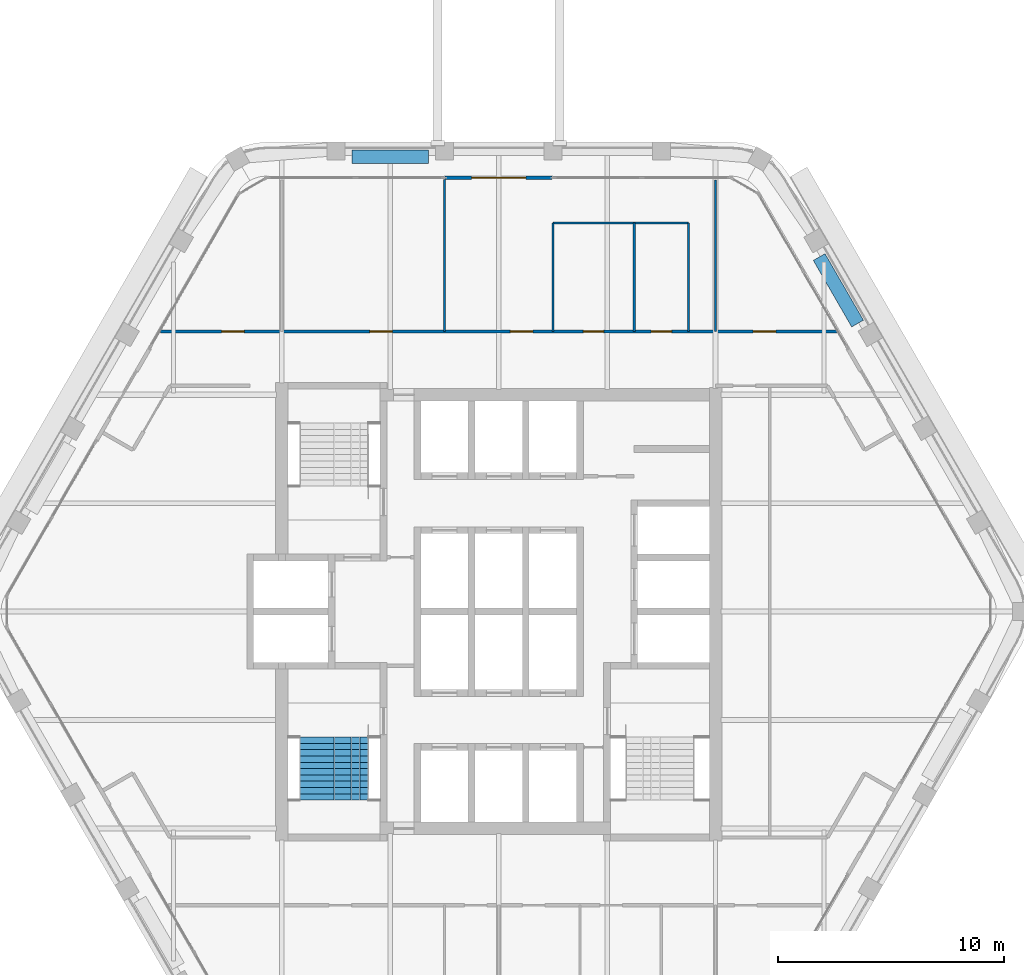
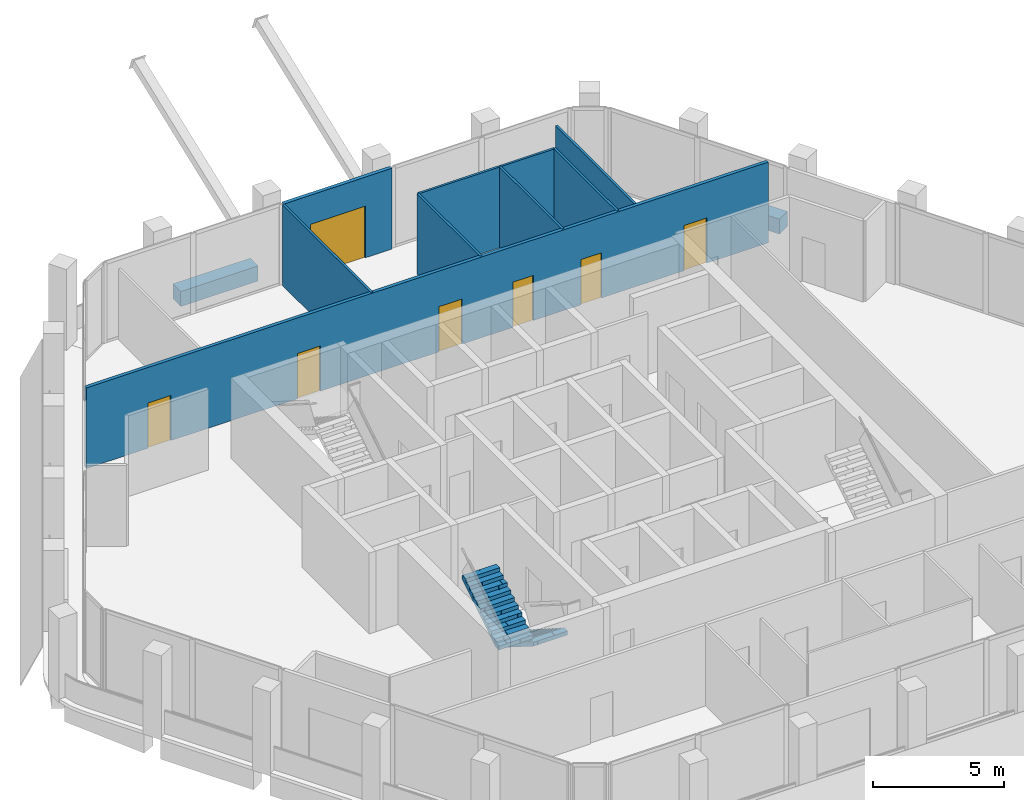
# One storey, part 10 of 14: 10 walls, 7 doors, 2 stair flights, 7 openings, 1 element without a shape of its own.
"""IFC4 building model written with IfcOpenShell, lengths in metres."""

from ifc_helpers import new_model, si_unit, direction, frame, frame_2d, origin, place, context, subcontext, project, spatial, polyline, rectangle, outline, extrude, material, layer, layer_set, type_object, element, fill, aggregate, save


model = new_model("IFC4")

# Units and contexts
model_context = context("Model", 3, precision=1e-05, world=origin(), true_north=direction((0.0, 1.0)))
body_context = subcontext(model_context, "Body", "Model", "MODEL_VIEW")
ifc_project = project(units=[si_unit("LENGTHUNIT", "METRE"), si_unit("AREAUNIT", "SQUARE_METRE"), si_unit("VOLUMEUNIT", "CUBIC_METRE"), si_unit("PLANEANGLEUNIT", "RADIAN"), si_unit("MASSUNIT", "GRAM", prefix="KILO")], contexts=[model_context])

# Site, building, storey
site_placement = place(None, origin())
site = spatial("IfcSite", under=ifc_project, at=site_placement, CompositionType="ELEMENT")
building_placement = place(site_placement, origin())
building = spatial("IfcBuilding", under=site, at=building_placement, Name="Kolab Exchange Tower", CompositionType="ELEMENT")
storey_placement = place(building_placement, frame((0.0, 0.0, 261.800048828125)))
storey = spatial("IfcBuildingStorey", under=building, at=storey_placement, Name="L58", CompositionType="ELEMENT", Elevation=261.800048828125)

# Wall, opening, door
ifc_material_1 = material(Name="Aluminium EN AW-6063 T6", Category="aluminium")
ifc_layer_1 = layer(ifc_material_1, 0.159912109375)
ifc_layer_set_1 = layer_set([ifc_layer_1], Name="Aluminium EN AW-6063 T6")
wall_type_1 = type_object("IfcWallType", Name="DOOR SURROUND WALL 160 ALUMINIUM FRAMED", PredefinedType="PARTITIONING", material=ifc_layer_set_1)
wall_1_placement = place(storey_placement, frame((-2.3701171875, 19.20458984375, 0.0), z_axis=(0.0, 0.0, 1.0), x_axis=(1.0, 0.0, 0.0)))
wall_1 = element("IfcWall", 1, at=wall_1_placement, inside=storey, type_object=wall_type_1, Name="Door surround wall", PredefinedType="PARTITIONING", context=body_context, shape_type="SweptSolid", body=[
    extrude(rectangle(XDim=4.740234375, YDim=0.159912109375, at=frame_2d((2.3701171875, 0.0))), origin(), (0.0, 0.0, 1.0), 3.75),
])
opening_1_placement = place(wall_1_placement, frame((1.169921875, 0.0, 0.0)))
opening_1 = element("IfcOpeningElement", 2, at=opening_1_placement, cuts=wall_1, Name="Opening GD1-089", PredefinedType="OPENING", context=body_context, shape_type="SweptSolid", body=[
    extrude(rectangle(XDim=2.39990234375, YDim=2.39990234375, at=frame_2d((1.199951171875, 1.199951171875))), frame((0.0, 0.08984375, 0.0), z_axis=(0.0, -1.0, 0.0), x_axis=(1.0, 0.0, 0.0)), (0.0, 0.0, 1.0), 0.179931640625),
])
door_type_1 = type_object("IfcDoorType", Name="LOGGIA SLIDING GLASS DOOR 2400 X 2400", OperationType="DOUBLE_DOOR_SINGLE_SWING", PredefinedType="DOOR", material=ifc_material_1)
door_1_placement = place(opening_1_placement, origin())
door_1 = element("IfcDoor", 3, at=door_1_placement, inside=storey, type_object=door_type_1, Name="Loggia door", OperationType="DOUBLE_DOOR_SLIDING", OverallHeight=2.39990234375, OverallWidth=2.39990234375, PredefinedType="DOOR", context=body_context, shape_type="SweptSolid", body=[
    extrude(rectangle(XDim=2.39990234375, YDim=2.39990234375, at=frame_2d((1.199951171875, 1.199951171875))), frame((0.0, 0.02490234375, 0.0), z_axis=(0.0, -1.0, 0.0), x_axis=(1.0, 0.0, 0.0)), (0.0, 0.0, 1.0), 0.050048828125),
])
fill(opening_1, door_1)

# Walls
ifc_material_2 = material(Name="Gypsum board", Category="gypsum")
ifc_layer_2 = layer(ifc_material_2, 0.10009765625)
ifc_layer_set_2 = layer_set([ifc_layer_2], Name="Gypsum board")
wall_type_2 = type_object("IfcWallType", Name="PARTITION 100", PredefinedType="PARTITIONING", material=ifc_layer_set_2)
wall_2_placement = place(storey_placement, frame((9.60009765625, 12.39990234375, 0.0), z_axis=(0.0, 0.0, 1.0), x_axis=(0.0, 1.0, 0.0)))
element("IfcWall", 4, at=wall_2_placement, inside=storey, type_object=wall_type_2, Name="Partition 002", PredefinedType="PARTITIONING", context=body_context, shape_type="SweptSolid", body=[
    extrude(rectangle(XDim=6.714599609375, YDim=0.10009765625, at=frame_2d((3.357421875, 0.0))), origin(), (0.0, 0.0, 1.0), 3.217041015625),
])
for number, where, z_axis, x_axis, name in (
    (5, (8.39990234375, 12.39990234375, 0.0), (0.0, 0.0, 1.0), (0.0, 1.0, 0.0), "Partition 003"),
    (6, (6.0, 12.39990234375, 0.0), (0.0, 0.0, 1.0), (0.0, 1.0, 0.0), "Partition 005"),
    (7, (2.39990234375, 12.39990234375, 0.0), (0.0, 0.0, 1.0), (0.0, 1.0, 0.0), "Partition 007"),
):
    element("IfcWall", number, at=place(storey_placement, frame(where, z_axis=z_axis, x_axis=x_axis)), inside=storey, type_object=wall_type_2, Name=name, PredefinedType="PARTITIONING", context=body_context, shape_type="SweptSolid", body=[
        extrude(rectangle(XDim=4.800048828125, YDim=0.10009765625, at=frame_2d((2.39990234375, 0.0))), origin(), (0.0, 0.0, 1.0), 3.75),
    ])
wall_3_placement = place(storey_placement, frame((-2.39990234375, 12.39990234375, 0.0), z_axis=(0.0, 0.0, 1.0), x_axis=(0.0, 1.0, 0.0)))
element("IfcWall", 8, at=wall_3_placement, inside=storey, type_object=wall_type_2, Name="Partition 010", PredefinedType="PARTITIONING", context=body_context, shape_type="SweptSolid", body=[
    extrude(rectangle(XDim=6.724609375, YDim=0.10009765625, at=frame_2d((3.3623046875, 0.0))), origin(), (0.0, 0.0, 1.0), 3.75),
])
wall_4_placement = place(storey_placement, frame((2.39990234375, 17.199951171875, 0.0), z_axis=(0.0, 0.0, 1.0), x_axis=(1.0, 0.0, 0.0)))
element("IfcWall", 9, at=wall_4_placement, inside=storey, type_object=wall_type_2, Name="Partition 029", PredefinedType="PARTITIONING", context=body_context, shape_type="SweptSolid", body=[
    extrude(rectangle(XDim=6.0, YDim=0.10009765625, at=frame_2d((3.0, 0.0))), origin(), (0.0, 0.0, 1.0), 3.75),
])

# Wall, openings, doors
ifc_layer_3 = layer(ifc_material_2, 0.14990234375)
ifc_layer_set_3 = layer_set([ifc_layer_3], Name="Gypsum board")
wall_type_3 = type_object("IfcWallType", Name="PARTITION 150 FIRE-RATED", PredefinedType="PARTITIONING", material=ifc_layer_set_3)
wall_5_placement = place(storey_placement, frame((-14.97021484375, 12.39990234375, 0.0), z_axis=(0.0, 0.0, 1.0), x_axis=(1.0, 0.0, 0.0)))
wall_5 = element("IfcWall", 10, at=wall_5_placement, inside=storey, type_object=wall_type_3, Name="Partition 028", PredefinedType="PARTITIONING", context=body_context, shape_type="SweptSolid", body=[
    extrude(rectangle(XDim=29.9404296875, YDim=0.14990234375, at=frame_2d((14.97021484375, 0.0))), origin(), (0.0, 0.0, 1.0), 3.75),
])
opening_2_placement = place(wall_5_placement, frame((18.72021484375, 0.0, 0.0)))
opening_2 = element("IfcOpeningElement", 11, at=opening_2_placement, cuts=wall_5, Name="Opening D3-084", PredefinedType="OPENING", context=body_context, shape_type="SweptSolid", body=[
    extrude(rectangle(XDim=0.89990234375, YDim=2.10009765625, at=frame_2d((0.449951171875, 1.050048828125))), frame((0.0, 0.0849609375, 0.0), z_axis=(0.0, -1.0, 0.0), x_axis=(1.0, 0.0, 0.0)), (0.0, 0.0, 1.0), 0.169921875),
])
opening_3_placement = place(wall_5_placement, frame((21.72021484375, 0.0, 0.0)))
opening_3 = element("IfcOpeningElement", 12, at=opening_3_placement, cuts=wall_5, Name="Opening D3-085", PredefinedType="OPENING", context=body_context, shape_type="SweptSolid", body=[
    extrude(rectangle(XDim=0.89990234375, YDim=2.10009765625, at=frame_2d((0.449951171875, 1.050048828125))), frame((0.0, 0.0849609375, 0.0), z_axis=(0.0, -1.0, 0.0), x_axis=(1.0, 0.0, 0.0)), (0.0, 0.0, 1.0), 0.169921875),
])
opening_4_placement = place(wall_5_placement, frame((2.7021484375, 0.0, 0.0)))
opening_4 = element("IfcOpeningElement", 13, at=opening_4_placement, cuts=wall_5, Name="Opening D1-703", PredefinedType="OPENING", context=body_context, shape_type="SweptSolid", body=[
    extrude(rectangle(XDim=1.0, YDim=2.10009765625, at=frame_2d((0.5, 1.050048828125))), frame((0.0, 0.0849609375, 0.0), z_axis=(0.0, -1.0, 0.0), x_axis=(1.0, 0.0, 0.0)), (0.0, 0.0, 1.0), 0.169921875),
])
opening_5_placement = place(wall_5_placement, frame((9.26513671875, 0.0, 0.0)))
opening_5 = element("IfcOpeningElement", 14, at=opening_5_placement, cuts=wall_5, Name="Opening D1-704", PredefinedType="OPENING", context=body_context, shape_type="SweptSolid", body=[
    extrude(rectangle(XDim=1.0, YDim=2.10009765625, at=frame_2d((0.5, 1.050048828125))), frame((0.0, 0.0849609375, 0.0), z_axis=(0.0, -1.0, 0.0), x_axis=(1.0, 0.0, 0.0)), (0.0, 0.0, 1.0), 0.169921875),
])
opening_6_placement = place(wall_5_placement, frame((15.485107421875, 0.0, 0.0)))
opening_6 = element("IfcOpeningElement", 15, at=opening_6_placement, cuts=wall_5, Name="Opening D1-705", PredefinedType="OPENING", context=body_context, shape_type="SweptSolid", body=[
    extrude(rectangle(XDim=1.0, YDim=2.10009765625, at=frame_2d((0.5, 1.050048828125))), frame((0.0, 0.0849609375, 0.0), z_axis=(0.0, -1.0, 0.0), x_axis=(1.0, 0.0, 0.0)), (0.0, 0.0, 1.0), 0.169921875),
])
opening_7_placement = place(wall_5_placement, frame((26.23828125, 0.0, 0.0)))
opening_7 = element("IfcOpeningElement", 16, at=opening_7_placement, cuts=wall_5, Name="Opening D1-706", PredefinedType="OPENING", context=body_context, shape_type="SweptSolid", body=[
    extrude(rectangle(XDim=1.0, YDim=2.10009765625, at=frame_2d((0.5, 1.050048828125))), frame((0.0, 0.0849609375, 0.0), z_axis=(0.0, -1.0, 0.0), x_axis=(1.0, 0.0, 0.0)), (0.0, 0.0, 1.0), 0.169921875),
])
ifc_material_3 = material(Name="Steel S235", Category="steel")
door_type_2 = type_object("IfcDoorType", Name="FLUSH DOOR 1000 FD60", OperationType="SINGLE_SWING_LEFT", PredefinedType="DOOR", material=ifc_material_3)
door_2_placement = place(opening_4_placement, origin())
door_2 = element("IfcDoor", 17, at=door_2_placement, inside=storey, type_object=door_type_2, Name="Door L58-031", OperationType="SINGLE_SWING_RIGHT", OverallHeight=2.10009765625, OverallWidth=1.0, PredefinedType="DOOR", context=body_context, shape_type="SweptSolid", body=[
    extrude(rectangle(XDim=1.0, YDim=2.10009765625, at=frame_2d((0.5, 1.050048828125))), frame((0.0, 0.02490234375, 0.0), z_axis=(0.0, -1.0, 0.0), x_axis=(1.0, 0.0, 0.0)), (0.0, 0.0, 1.0), 0.050048828125),
])
fill(opening_4, door_2)
door_3_placement = place(opening_5_placement, origin())
door_3 = element("IfcDoor", 18, at=door_3_placement, inside=storey, type_object=door_type_2, Name="Door L58-032", OperationType="SINGLE_SWING_RIGHT", OverallHeight=2.10009765625, OverallWidth=1.0, PredefinedType="DOOR", context=body_context, shape_type="SweptSolid", body=[
    extrude(rectangle(XDim=1.0, YDim=2.10009765625, at=frame_2d((0.5, 1.050048828125))), frame((0.0, 0.02490234375, 0.0), z_axis=(0.0, -1.0, 0.0), x_axis=(1.0, 0.0, 0.0)), (0.0, 0.0, 1.0), 0.050048828125),
])
fill(opening_5, door_3)
door_4_placement = place(opening_6_placement, origin())
door_4 = element("IfcDoor", 19, at=door_4_placement, inside=storey, type_object=door_type_2, Name="Door L58-033", OperationType="SINGLE_SWING_RIGHT", OverallHeight=2.10009765625, OverallWidth=1.0, PredefinedType="DOOR", context=body_context, shape_type="SweptSolid", body=[
    extrude(rectangle(XDim=1.0, YDim=2.10009765625, at=frame_2d((0.5, 1.050048828125))), frame((0.0, 0.02490234375, 0.0), z_axis=(0.0, -1.0, 0.0), x_axis=(1.0, 0.0, 0.0)), (0.0, 0.0, 1.0), 0.050048828125),
])
fill(opening_6, door_4)
door_5_placement = place(opening_7_placement, origin())
door_5 = element("IfcDoor", 20, at=door_5_placement, inside=storey, type_object=door_type_2, Name="Door L58-034", OperationType="SINGLE_SWING_LEFT", OverallHeight=2.10009765625, OverallWidth=1.0, PredefinedType="DOOR", context=body_context, shape_type="SweptSolid", body=[
    extrude(rectangle(XDim=1.0, YDim=2.10009765625, at=frame_2d((0.5, 1.050048828125))), frame((0.0, 0.02490234375, 0.0), z_axis=(0.0, -1.0, 0.0), x_axis=(1.0, 0.0, 0.0)), (0.0, 0.0, 1.0), 0.050048828125),
])
fill(opening_7, door_5)
door_type_3 = type_object("IfcDoorType", Name="FLUSH DOOR 900 FD60", OperationType="SINGLE_SWING_LEFT", PredefinedType="DOOR", material=ifc_material_3)
door_6_placement = place(opening_2_placement, origin())
door_6 = element("IfcDoor", 21, at=door_6_placement, inside=storey, type_object=door_type_3, Name="Door L58-029", OperationType="SINGLE_SWING_LEFT", OverallHeight=2.10009765625, OverallWidth=0.89990234375, PredefinedType="DOOR", context=body_context, shape_type="SweptSolid", body=[
    extrude(rectangle(XDim=0.89990234375, YDim=2.10009765625, at=frame_2d((0.449951171875, 1.050048828125))), frame((0.0, 0.02490234375, 0.0), z_axis=(0.0, -1.0, 0.0), x_axis=(1.0, 0.0, 0.0)), (0.0, 0.0, 1.0), 0.050048828125),
])
fill(opening_2, door_6)
door_7_placement = place(opening_3_placement, origin())
door_7 = element("IfcDoor", 22, at=door_7_placement, inside=storey, type_object=door_type_3, Name="Door L58-030", OperationType="SINGLE_SWING_LEFT", OverallHeight=2.10009765625, OverallWidth=0.89990234375, PredefinedType="DOOR", context=body_context, shape_type="SweptSolid", body=[
    extrude(rectangle(XDim=0.89990234375, YDim=2.10009765625, at=frame_2d((0.449951171875, 1.050048828125))), frame((0.0, 0.02490234375, 0.0), z_axis=(0.0, -1.0, 0.0), x_axis=(1.0, 0.0, 0.0)), (0.0, 0.0, 1.0), 0.050048828125),
])
fill(opening_3, door_7)

# Walls
ifc_material_4 = material(Name="Granite facing", Category="masonry")
ifc_layer_4 = layer(ifc_material_4, 0.0400390625)
ifc_material_5 = material(Name="Concrete C40/50 precast", Category="concrete")
ifc_layer_5 = layer(ifc_material_5, 0.56005859375)
ifc_layer_set_4 = layer_set([ifc_layer_4, ifc_layer_5], Name="Concrete C40/50 precast")
wall_type_4 = type_object("IfcWallType", Name="PLANTER BOX 600 X 700 SOIL DEPTH 550", PredefinedType="USERDEFINED", material=ifc_layer_set_4)
wall_6_placement = place(storey_placement, frame((-6.5, 20.134521484375, 0.0), z_axis=(0.0, 0.0, 1.0), x_axis=(1.0, 0.0, 0.0)))
element("IfcWall", 23, at=wall_6_placement, inside=storey, type_object=wall_type_4, Name="Planter", ObjectType="PLANTER", PredefinedType="USERDEFINED", context=body_context, shape_type="SweptSolid", body=[
    extrude(rectangle(XDim=3.39990234375, YDim=0.60009765625, at=frame_2d((1.699951171875, 0.0))), origin(), (0.0, 0.0, 1.0), 0.699951171875),
])
wall_7_placement = place(storey_placement, frame((14.18701171875, 15.696533203125, 0.0), z_axis=(0.0, 0.0, 1.0), x_axis=(0.499977295307, -0.866038511948, 0.0)))
element("IfcWall", 24, at=wall_7_placement, inside=storey, type_object=wall_type_4, Name="Planter", ObjectType="PLANTER", PredefinedType="USERDEFINED", context=body_context, shape_type="SweptSolid", body=[
    extrude(rectangle(XDim=3.400146484375, YDim=0.60009765625, at=frame_2d((1.7001953125, 0.0))), origin(), (0.0, 0.0, 1.0), 0.699951171875),
])

# Stair, stair flights
ifc_material_6 = material(Name="Concrete C50/60", Category="concrete")
stair_type = type_object("IfcStairType", Name="STAIR ST3 RISER 177.3", PredefinedType="HALF_TURN_STAIR", material=ifc_material_6)
stair_placement = place(storey_placement, origin())
stair = element("IfcStair", 25, at=stair_placement, inside=storey, type_object=stair_type, Name="Stair 3", PredefinedType="HALF_TURN_STAIR")
stair_flight_type = type_object("IfcStairFlightType", Name="STAIR FLIGHT 1500 RISER 177.3", PredefinedType="STRAIGHT", material=ifc_material_6)
stair_flight_1_placement = place(storey_placement, frame((-6.527587890625, -5.550048828125, 0.0), z_axis=(0.0, 0.0, 1.0), x_axis=(0.0, -1.0, 0.0)))
stair_flight_1 = element("IfcStairFlight", 26, at=stair_flight_1_placement, type_object=stair_flight_type, Name="ST3 flight 1", NumberOfRisers=11, NumberOfTreads=10, PredefinedType="STRAIGHT", RiserHeight=0.177272727, TreadLength=0.28, context=body_context, shape_type="SweptSolid", body=[
    extrude(outline(polyline([(0.0, 0.0), (0.0, 0.17724609375), (0.280029296875, 0.17724609375), (0.280029296875, 0.3544921875), (0.56005859375, 0.3544921875), (0.56005859375, 0.53173828125), (0.840087890625, 0.53173828125), (0.840087890625, 0.708984375), (1.1201171875, 0.708984375), (1.1201171875, 0.886474609375), (1.39990234375, 0.886474609375), (1.39990234375, 1.063720703125), (1.679931640625, 1.063720703125), (1.679931640625, 1.240966796875), (1.9599609375, 1.240966796875), (1.9599609375, 1.418212890625), (2.239990234375, 1.418212890625), (2.239990234375, 1.595458984375), (2.52001953125, 1.595458984375), (2.52001953125, 1.772705078125), (2.800048828125, 1.772705078125), (2.800048828125, 1.949951171875), (2.800048828125, 1.59521484375), (0.2802734375, 0.0), (0.0, 0.0)])), frame((0.0, 0.75, 0.0), z_axis=(0.0, -1.0, 0.0), x_axis=(1.0, 0.0, 0.0)), (0.0, 0.0, 1.0), 0.185791015625),
    extrude(outline(polyline([(0.0, 0.0), (0.0, 0.17724609375), (0.280029296875, 0.17724609375), (0.280029296875, 0.3544921875), (0.56005859375, 0.3544921875), (0.56005859375, 0.53173828125), (0.840087890625, 0.53173828125), (0.840087890625, 0.708984375), (1.1201171875, 0.708984375), (1.1201171875, 0.886474609375), (1.39990234375, 0.886474609375), (1.39990234375, 1.063720703125), (1.679931640625, 1.063720703125), (1.679931640625, 1.240966796875), (1.9599609375, 1.240966796875), (1.9599609375, 1.418212890625), (2.239990234375, 1.418212890625), (2.239990234375, 1.595458984375), (2.52001953125, 1.595458984375), (2.52001953125, 1.772705078125), (2.800048828125, 1.772705078125), (2.800048828125, 1.949951171875), (2.800048828125, 1.59521484375), (0.2802734375, 0.0), (0.0, 0.0)])), frame((0.0, 0.562255859375, 0.0), z_axis=(0.0, -1.0, 0.0), x_axis=(1.0, 0.0, 0.0)), (0.0, 0.0, 1.0), 0.185791015625),
    extrude(outline(polyline([(0.0, 0.0), (0.0, 0.17724609375), (0.280029296875, 0.17724609375), (0.280029296875, 0.3544921875), (0.56005859375, 0.3544921875), (0.56005859375, 0.53173828125), (0.840087890625, 0.53173828125), (0.840087890625, 0.708984375), (1.1201171875, 0.708984375), (1.1201171875, 0.886474609375), (1.39990234375, 0.886474609375), (1.39990234375, 1.063720703125), (1.679931640625, 1.063720703125), (1.679931640625, 1.240966796875), (1.9599609375, 1.240966796875), (1.9599609375, 1.418212890625), (2.239990234375, 1.418212890625), (2.239990234375, 1.595458984375), (2.52001953125, 1.595458984375), (2.52001953125, 1.772705078125), (2.800048828125, 1.772705078125), (2.800048828125, 1.949951171875), (2.800048828125, 1.59521484375), (0.2802734375, 0.0), (0.0, 0.0)])), frame((0.0, 0.37451171875, 0.0), z_axis=(0.0, -1.0, 0.0), x_axis=(1.0, 0.0, 0.0)), (0.0, 0.0, 1.0), 0.185791015625),
    extrude(outline(polyline([(0.0, 0.0), (0.0, 0.17724609375), (0.280029296875, 0.17724609375), (0.280029296875, 0.3544921875), (0.56005859375, 0.3544921875), (0.56005859375, 0.53173828125), (0.840087890625, 0.53173828125), (0.840087890625, 0.708984375), (1.1201171875, 0.708984375), (1.1201171875, 0.886474609375), (1.39990234375, 0.886474609375), (1.39990234375, 1.063720703125), (1.679931640625, 1.063720703125), (1.679931640625, 1.240966796875), (1.9599609375, 1.240966796875), (1.9599609375, 1.418212890625), (2.239990234375, 1.418212890625), (2.239990234375, 1.595458984375), (2.52001953125, 1.595458984375), (2.52001953125, 1.772705078125), (2.800048828125, 1.772705078125), (2.800048828125, 1.949951171875), (2.800048828125, 1.59521484375), (0.2802734375, 0.0), (0.0, 0.0)])), frame((0.0, 0.186767578125, 0.0), z_axis=(0.0, -1.0, 0.0), x_axis=(1.0, 0.0, 0.0)), (0.0, 0.0, 1.0), 0.185791015625),
    extrude(outline(polyline([(0.0, 0.0), (0.0, 0.17724609375), (0.280029296875, 0.17724609375), (0.280029296875, 0.3544921875), (0.56005859375, 0.3544921875), (0.56005859375, 0.53173828125), (0.840087890625, 0.53173828125), (0.840087890625, 0.708984375), (1.1201171875, 0.708984375), (1.1201171875, 0.886474609375), (1.39990234375, 0.886474609375), (1.39990234375, 1.063720703125), (1.679931640625, 1.063720703125), (1.679931640625, 1.240966796875), (1.9599609375, 1.240966796875), (1.9599609375, 1.418212890625), (2.239990234375, 1.418212890625), (2.239990234375, 1.595458984375), (2.52001953125, 1.595458984375), (2.52001953125, 1.772705078125), (2.800048828125, 1.772705078125), (2.800048828125, 1.949951171875), (2.800048828125, 1.59521484375), (0.2802734375, 0.0), (0.0, 0.0)])), frame((0.0, -0.0009765625, 0.0), z_axis=(0.0, -1.0, 0.0), x_axis=(1.0, 0.0, 0.0)), (0.0, 0.0, 1.0), 0.185791015625),
    extrude(outline(polyline([(0.0, 0.0), (0.0, 0.17724609375), (0.280029296875, 0.17724609375), (0.280029296875, 0.3544921875), (0.56005859375, 0.3544921875), (0.56005859375, 0.53173828125), (0.840087890625, 0.53173828125), (0.840087890625, 0.708984375), (1.1201171875, 0.708984375), (1.1201171875, 0.886474609375), (1.39990234375, 0.886474609375), (1.39990234375, 1.063720703125), (1.679931640625, 1.063720703125), (1.679931640625, 1.240966796875), (1.9599609375, 1.240966796875), (1.9599609375, 1.418212890625), (2.239990234375, 1.418212890625), (2.239990234375, 1.595458984375), (2.52001953125, 1.595458984375), (2.52001953125, 1.772705078125), (2.800048828125, 1.772705078125), (2.800048828125, 1.949951171875), (2.800048828125, 1.59521484375), (0.2802734375, 0.0), (0.0, 0.0)])), frame((0.0, -0.188720703125, 0.0), z_axis=(0.0, -1.0, 0.0), x_axis=(1.0, 0.0, 0.0)), (0.0, 0.0, 1.0), 0.185791015625),
    extrude(outline(polyline([(0.0, 0.0), (0.0, 0.17724609375), (0.280029296875, 0.17724609375), (0.280029296875, 0.3544921875), (0.56005859375, 0.3544921875), (0.56005859375, 0.53173828125), (0.840087890625, 0.53173828125), (0.840087890625, 0.708984375), (1.1201171875, 0.708984375), (1.1201171875, 0.886474609375), (1.39990234375, 0.886474609375), (1.39990234375, 1.063720703125), (1.679931640625, 1.063720703125), (1.679931640625, 1.240966796875), (1.9599609375, 1.240966796875), (1.9599609375, 1.418212890625), (2.239990234375, 1.418212890625), (2.239990234375, 1.595458984375), (2.52001953125, 1.595458984375), (2.52001953125, 1.772705078125), (2.800048828125, 1.772705078125), (2.800048828125, 1.949951171875), (2.800048828125, 1.59521484375), (0.2802734375, 0.0), (0.0, 0.0)])), frame((0.0, -0.37646484375, 0.0), z_axis=(0.0, -1.0, 0.0), x_axis=(1.0, 0.0, 0.0)), (0.0, 0.0, 1.0), 0.185791015625),
    extrude(outline(polyline([(0.0, 0.0), (0.0, 0.17724609375), (0.280029296875, 0.17724609375), (0.280029296875, 0.3544921875), (0.56005859375, 0.3544921875), (0.56005859375, 0.53173828125), (0.840087890625, 0.53173828125), (0.840087890625, 0.708984375), (1.1201171875, 0.708984375), (1.1201171875, 0.886474609375), (1.39990234375, 0.886474609375), (1.39990234375, 1.063720703125), (1.679931640625, 1.063720703125), (1.679931640625, 1.240966796875), (1.9599609375, 1.240966796875), (1.9599609375, 1.418212890625), (2.239990234375, 1.418212890625), (2.239990234375, 1.595458984375), (2.52001953125, 1.595458984375), (2.52001953125, 1.772705078125), (2.800048828125, 1.772705078125), (2.800048828125, 1.949951171875), (2.800048828125, 1.59521484375), (0.2802734375, 0.0), (0.0, 0.0)])), frame((0.0, -0.564208984375, 0.0), z_axis=(0.0, -1.0, 0.0), x_axis=(1.0, 0.0, 0.0)), (0.0, 0.0, 1.0), 0.185791015625),
])
stair_flight_2_placement = place(storey_placement, frame((-8.047607421875, -8.35009765625, 1.949951171875), z_axis=(0.0, 0.0, 1.0), x_axis=(0.0, 1.0, 0.0)))
stair_flight_2 = element("IfcStairFlight", 27, at=stair_flight_2_placement, type_object=stair_flight_type, Name="ST3 flight 2", NumberOfRisers=11, NumberOfTreads=10, PredefinedType="STRAIGHT", RiserHeight=0.177272727, TreadLength=0.28, context=body_context, shape_type="SweptSolid", body=[
    extrude(outline(polyline([(0.0, 0.0), (0.0, 0.17724609375), (0.280029296875, 0.17724609375), (0.280029296875, 0.3544921875), (0.56005859375, 0.3544921875), (0.56005859375, 0.53173828125), (0.840087890625, 0.53173828125), (0.840087890625, 0.708984375), (1.1201171875, 0.708984375), (1.1201171875, 0.886474609375), (1.39990234375, 0.886474609375), (1.39990234375, 1.063720703125), (1.679931640625, 1.063720703125), (1.679931640625, 1.240966796875), (1.9599609375, 1.240966796875), (1.9599609375, 1.418212890625), (2.239990234375, 1.418212890625), (2.239990234375, 1.595458984375), (2.52001953125, 1.595458984375), (2.52001953125, 1.772705078125), (2.800048828125, 1.772705078125), (2.800048828125, 1.949951171875), (2.800048828125, 1.59521484375), (0.2802734375, 0.0), (0.0, 0.0)])), frame((0.0, 0.75, 0.0), z_axis=(0.0, -1.0, 0.0), x_axis=(1.0, 0.0, 0.0)), (0.0, 0.0, 1.0), 0.185791015625),
    extrude(outline(polyline([(0.0, 0.0), (0.0, 0.17724609375), (0.280029296875, 0.17724609375), (0.280029296875, 0.3544921875), (0.56005859375, 0.3544921875), (0.56005859375, 0.53173828125), (0.840087890625, 0.53173828125), (0.840087890625, 0.708984375), (1.1201171875, 0.708984375), (1.1201171875, 0.886474609375), (1.39990234375, 0.886474609375), (1.39990234375, 1.063720703125), (1.679931640625, 1.063720703125), (1.679931640625, 1.240966796875), (1.9599609375, 1.240966796875), (1.9599609375, 1.418212890625), (2.239990234375, 1.418212890625), (2.239990234375, 1.595458984375), (2.52001953125, 1.595458984375), (2.52001953125, 1.772705078125), (2.800048828125, 1.772705078125), (2.800048828125, 1.949951171875), (2.800048828125, 1.59521484375), (0.2802734375, 0.0), (0.0, 0.0)])), frame((0.0, 0.562255859375, 0.0), z_axis=(0.0, -1.0, 0.0), x_axis=(1.0, 0.0, 0.0)), (0.0, 0.0, 1.0), 0.185791015625),
    extrude(outline(polyline([(0.0, 0.0), (0.0, 0.17724609375), (0.280029296875, 0.17724609375), (0.280029296875, 0.3544921875), (0.56005859375, 0.3544921875), (0.56005859375, 0.53173828125), (0.840087890625, 0.53173828125), (0.840087890625, 0.708984375), (1.1201171875, 0.708984375), (1.1201171875, 0.886474609375), (1.39990234375, 0.886474609375), (1.39990234375, 1.063720703125), (1.679931640625, 1.063720703125), (1.679931640625, 1.240966796875), (1.9599609375, 1.240966796875), (1.9599609375, 1.418212890625), (2.239990234375, 1.418212890625), (2.239990234375, 1.595458984375), (2.52001953125, 1.595458984375), (2.52001953125, 1.772705078125), (2.800048828125, 1.772705078125), (2.800048828125, 1.949951171875), (2.800048828125, 1.59521484375), (0.2802734375, 0.0), (0.0, 0.0)])), frame((0.0, 0.37451171875, 0.0), z_axis=(0.0, -1.0, 0.0), x_axis=(1.0, 0.0, 0.0)), (0.0, 0.0, 1.0), 0.185791015625),
    extrude(outline(polyline([(0.0, 0.0), (0.0, 0.17724609375), (0.280029296875, 0.17724609375), (0.280029296875, 0.3544921875), (0.56005859375, 0.3544921875), (0.56005859375, 0.53173828125), (0.840087890625, 0.53173828125), (0.840087890625, 0.708984375), (1.1201171875, 0.708984375), (1.1201171875, 0.886474609375), (1.39990234375, 0.886474609375), (1.39990234375, 1.063720703125), (1.679931640625, 1.063720703125), (1.679931640625, 1.240966796875), (1.9599609375, 1.240966796875), (1.9599609375, 1.418212890625), (2.239990234375, 1.418212890625), (2.239990234375, 1.595458984375), (2.52001953125, 1.595458984375), (2.52001953125, 1.772705078125), (2.800048828125, 1.772705078125), (2.800048828125, 1.949951171875), (2.800048828125, 1.59521484375), (0.2802734375, 0.0), (0.0, 0.0)])), frame((0.0, 0.186767578125, 0.0), z_axis=(0.0, -1.0, 0.0), x_axis=(1.0, 0.0, 0.0)), (0.0, 0.0, 1.0), 0.185791015625),
    extrude(outline(polyline([(0.0, 0.0), (0.0, 0.17724609375), (0.280029296875, 0.17724609375), (0.280029296875, 0.3544921875), (0.56005859375, 0.3544921875), (0.56005859375, 0.53173828125), (0.840087890625, 0.53173828125), (0.840087890625, 0.708984375), (1.1201171875, 0.708984375), (1.1201171875, 0.886474609375), (1.39990234375, 0.886474609375), (1.39990234375, 1.063720703125), (1.679931640625, 1.063720703125), (1.679931640625, 1.240966796875), (1.9599609375, 1.240966796875), (1.9599609375, 1.418212890625), (2.239990234375, 1.418212890625), (2.239990234375, 1.595458984375), (2.52001953125, 1.595458984375), (2.52001953125, 1.772705078125), (2.800048828125, 1.772705078125), (2.800048828125, 1.949951171875), (2.800048828125, 1.59521484375), (0.2802734375, 0.0), (0.0, 0.0)])), frame((0.0, -0.0009765625, 0.0), z_axis=(0.0, -1.0, 0.0), x_axis=(1.0, 0.0, 0.0)), (0.0, 0.0, 1.0), 0.185791015625),
    extrude(outline(polyline([(0.0, 0.0), (0.0, 0.17724609375), (0.280029296875, 0.17724609375), (0.280029296875, 0.3544921875), (0.56005859375, 0.3544921875), (0.56005859375, 0.53173828125), (0.840087890625, 0.53173828125), (0.840087890625, 0.708984375), (1.1201171875, 0.708984375), (1.1201171875, 0.886474609375), (1.39990234375, 0.886474609375), (1.39990234375, 1.063720703125), (1.679931640625, 1.063720703125), (1.679931640625, 1.240966796875), (1.9599609375, 1.240966796875), (1.9599609375, 1.418212890625), (2.239990234375, 1.418212890625), (2.239990234375, 1.595458984375), (2.52001953125, 1.595458984375), (2.52001953125, 1.772705078125), (2.800048828125, 1.772705078125), (2.800048828125, 1.949951171875), (2.800048828125, 1.59521484375), (0.2802734375, 0.0), (0.0, 0.0)])), frame((0.0, -0.188720703125, 0.0), z_axis=(0.0, -1.0, 0.0), x_axis=(1.0, 0.0, 0.0)), (0.0, 0.0, 1.0), 0.185791015625),
    extrude(outline(polyline([(0.0, 0.0), (0.0, 0.17724609375), (0.280029296875, 0.17724609375), (0.280029296875, 0.3544921875), (0.56005859375, 0.3544921875), (0.56005859375, 0.53173828125), (0.840087890625, 0.53173828125), (0.840087890625, 0.708984375), (1.1201171875, 0.708984375), (1.1201171875, 0.886474609375), (1.39990234375, 0.886474609375), (1.39990234375, 1.063720703125), (1.679931640625, 1.063720703125), (1.679931640625, 1.240966796875), (1.9599609375, 1.240966796875), (1.9599609375, 1.418212890625), (2.239990234375, 1.418212890625), (2.239990234375, 1.595458984375), (2.52001953125, 1.595458984375), (2.52001953125, 1.772705078125), (2.800048828125, 1.772705078125), (2.800048828125, 1.949951171875), (2.800048828125, 1.59521484375), (0.2802734375, 0.0), (0.0, 0.0)])), frame((0.0, -0.37646484375, 0.0), z_axis=(0.0, -1.0, 0.0), x_axis=(1.0, 0.0, 0.0)), (0.0, 0.0, 1.0), 0.185791015625),
    extrude(outline(polyline([(0.0, 0.0), (0.0, 0.17724609375), (0.280029296875, 0.17724609375), (0.280029296875, 0.3544921875), (0.56005859375, 0.3544921875), (0.56005859375, 0.53173828125), (0.840087890625, 0.53173828125), (0.840087890625, 0.708984375), (1.1201171875, 0.708984375), (1.1201171875, 0.886474609375), (1.39990234375, 0.886474609375), (1.39990234375, 1.063720703125), (1.679931640625, 1.063720703125), (1.679931640625, 1.240966796875), (1.9599609375, 1.240966796875), (1.9599609375, 1.418212890625), (2.239990234375, 1.418212890625), (2.239990234375, 1.595458984375), (2.52001953125, 1.595458984375), (2.52001953125, 1.772705078125), (2.800048828125, 1.772705078125), (2.800048828125, 1.949951171875), (2.800048828125, 1.59521484375), (0.2802734375, 0.0), (0.0, 0.0)])), frame((0.0, -0.564208984375, 0.0), z_axis=(0.0, -1.0, 0.0), x_axis=(1.0, 0.0, 0.0)), (0.0, 0.0, 1.0), 0.185791015625),
])
aggregate(stair, [stair_flight_1, stair_flight_2])

save(model, "model.ifc")
